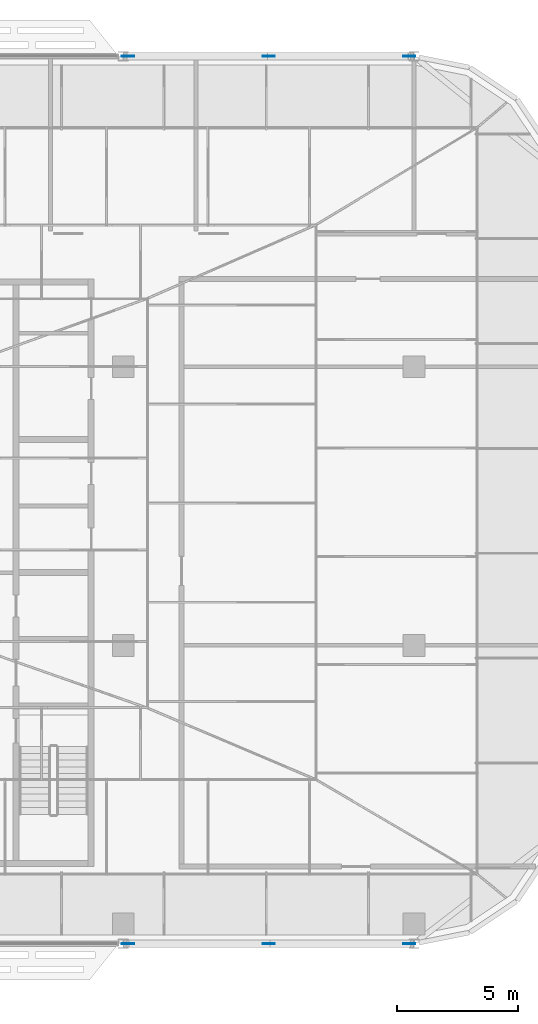
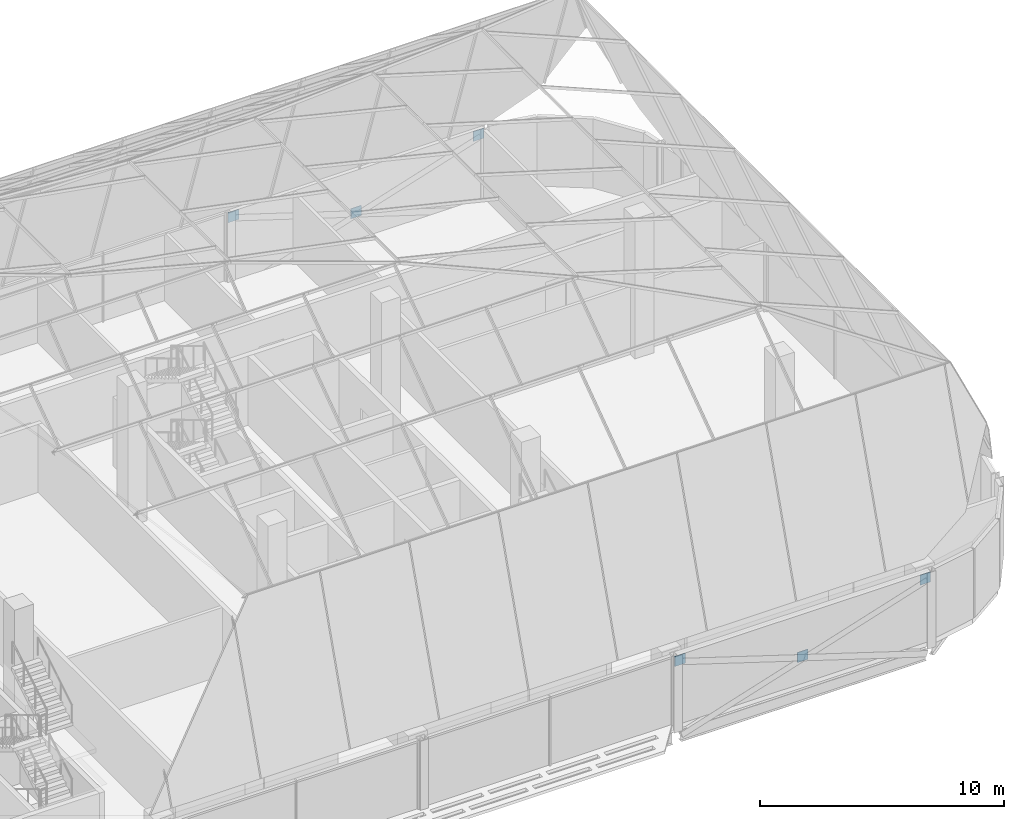
# One storey, part 33 of 39: 6 discrete accessories.
"""IFC4 building model written with IfcOpenShell, lengths in metres."""

from ifc_helpers import new_model, si_unit, direction, frame, origin, origin_2d, place, context, subcontext, project, spatial, rectangle, extrude, material, layer, layer_set, type_object, element, save


model = new_model("IFC4")

# Units and contexts
model_context = context("Model", 3, precision=1e-05, world=origin(), true_north=direction((0.0, 1.0)))
body_context = subcontext(model_context, "Body", "Model", "MODEL_VIEW")
ifc_project = project(units=[si_unit("LENGTHUNIT", "METRE"), si_unit("AREAUNIT", "SQUARE_METRE"), si_unit("VOLUMEUNIT", "CUBIC_METRE"), si_unit("PLANEANGLEUNIT", "RADIAN"), si_unit("MASSUNIT", "GRAM", prefix="KILO")], contexts=[model_context])

# Site, building, storey
site_placement = place(None, origin())
site = spatial("IfcSite", under=ifc_project, at=site_placement, CompositionType="ELEMENT")
building_placement = place(site_placement, origin())
building = spatial("IfcBuilding", under=site, at=building_placement, Name="Mahtab Terrace Research Tower", CompositionType="ELEMENT")
storey_placement = place(building_placement, frame((0.0, 0.0, 282.300048828125)))
storey = spatial("IfcBuildingStorey", under=building, at=storey_placement, Name="L69", CompositionType="ELEMENT", Elevation=282.300048828125)

# Discrete accessories
ifc_material = material(Name="Steel ASTM A992 Gr 50", Category="steel")
ifc_layer = layer(ifc_material, 0.030029296875)
ifc_layer_set = layer_set([ifc_layer], Name="Gusset plate 500x500x30")
discrete_accessory_type = type_object("IfcDiscreteAccessoryType", Name="Gusset plate 500x500x30", PredefinedType="USERDEFINED", material=ifc_layer_set)
for number, where, z_axis, x_axis, name in (
    (1, (30.197021484375, -12.306884765625, 2.843994140625), (0.0, 0.0, 1.0), (1.0, 0.0, 0.0), "Gusset plate"),
    (2, (30.197021484375, 24.306884765625, 2.843994140625), (0.0, 0.0, 1.0), (1.0, 0.0, 0.0), "Gusset plate"),
    (3, (36.0, -12.306884765625, 1.00634765625), (0.0, 0.0, 1.0), (1.0, 0.0, 0.0), "Gusset plate"),
    (4, (36.0, 24.306884765625, 1.00634765625), (0.0, 0.0, 1.0), (1.0, 0.0, 0.0), "Gusset plate"),
    (5, (41.80322265625, -12.306884765625, 2.843994140625), (0.0, 0.0, 1.0), (1.0, 0.0, 0.0), "Gusset plate"),
    (6, (41.80322265625, 24.306884765625, 2.843994140625), (0.0, 0.0, 1.0), (1.0, 0.0, 0.0), "Gusset plate"),
):
    element("IfcDiscreteAccessory", number, at=place(storey_placement, frame(where, z_axis=z_axis, x_axis=x_axis)), inside=storey, type_object=discrete_accessory_type, Name=name, ObjectType="GUSSET PLATE", PredefinedType="USERDEFINED", context=body_context, shape_type="SweptSolid", body=[
        extrude(rectangle(XDim=0.5, YDim=0.030029296875, at=origin_2d()), origin(), (0.0, 0.0, 1.0), 0.5),
    ])

save(model, "model.ifc")
